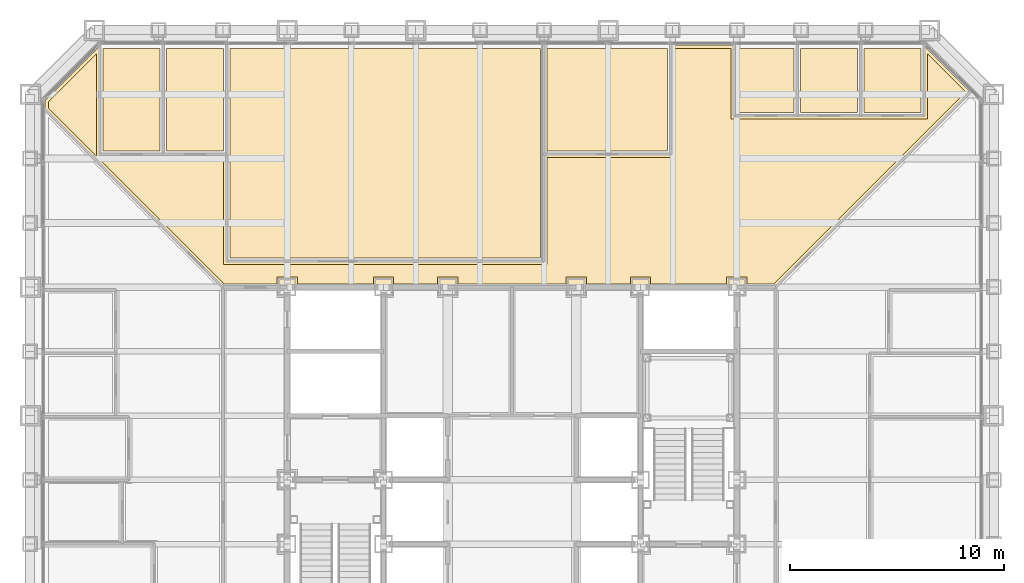
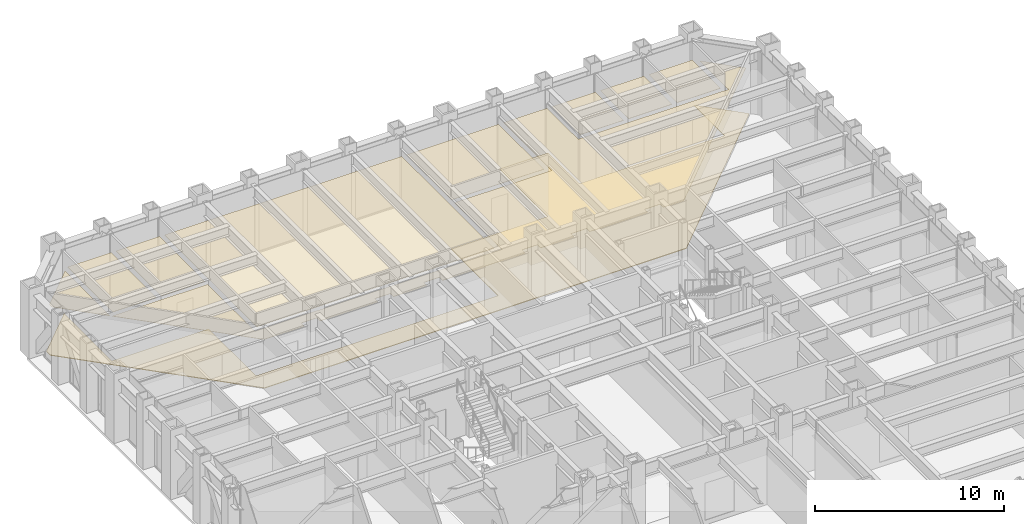
# One storey, part 17 of 17: 10 coverings.
"""IFC4 building model written with IfcOpenShell, lengths in metres."""

from ifc_helpers import new_model, si_unit, direction, frame, origin, place, context, subcontext, project, spatial, polyline, outline, extrude, material, layer, layer_set, type_object, element, save


model = new_model("IFC4")

# Units and contexts
model_context = context("Model", 3, precision=1e-05, world=origin(), true_north=direction((0.0, 1.0)))
body_context = subcontext(model_context, "Body", "Model", "MODEL_VIEW")
ifc_project = project(units=[si_unit("LENGTHUNIT", "METRE"), si_unit("AREAUNIT", "SQUARE_METRE"), si_unit("VOLUMEUNIT", "CUBIC_METRE"), si_unit("PLANEANGLEUNIT", "RADIAN"), si_unit("MASSUNIT", "GRAM", prefix="KILO")], contexts=[model_context])

# Site, building, storey
site_placement = place(None, origin())
site = spatial("IfcSite", under=ifc_project, at=site_placement, CompositionType="ELEMENT")
building_placement = place(site_placement, origin())
building = spatial("IfcBuilding", under=site, at=building_placement, Name="Chuquiago Exchange Tower", CompositionType="ELEMENT")
storey_placement = place(building_placement, frame((0.0, 0.0, 64.800048828125)))
storey = spatial("IfcBuildingStorey", under=building, at=storey_placement, Name="L13", CompositionType="ELEMENT", Elevation=64.800048828125)

# Coverings
ifc_material_1 = material(Name="Mineral fibre tile, 600 x 600, on pale metal grid", Category="mineral fibre")
ifc_layer_1 = layer(ifc_material_1, 0.02001953125)
ifc_layer_set_1 = layer_set([ifc_layer_1], Name="CL1 suspended tile ceiling 20")
covering_type_1 = type_object("IfcCoveringType", Name="CL1 suspended tile ceiling 20", PredefinedType="CEILING", material=ifc_layer_set_1)
covering_1_placement = place(storey_placement, frame((0.0, 0.0, 3.0)))
element("IfcCovering", 1, at=covering_1_placement, inside=storey, type_object=covering_type_1, Name="Ceiling Office", PredefinedType="CEILING", context=body_context, shape_type="SweptSolid", body=[
    extrude(outline(polyline([(6.060302734375, 44.14990234375), (6.060302734375, 39.35009765625), (3.3984375, 39.35009765625), (3.3984375, 44.14990234375), (6.060302734375, 44.14990234375)])), origin(), (0.0, 0.0, 1.0), 0.02001953125),
])
covering_2_placement = place(storey_placement, frame((0.0, 0.0, 3.0)))
element("IfcCovering", 2, at=covering_2_placement, inside=storey, type_object=covering_type_1, Name="Ceiling Office", PredefinedType="CEILING", context=body_context, shape_type="SweptSolid", body=[
    extrude(outline(polyline([(9.022216796875, 39.35009765625), (6.3603515625, 39.35009765625), (6.3603515625, 44.14990234375), (9.022216796875, 44.14990234375), (9.022216796875, 39.35009765625)])), origin(), (0.0, 0.0, 1.0), 0.02001953125),
])
covering_3_placement = place(storey_placement, frame((0.0, 0.0, 3.0)))
element("IfcCovering", 3, at=covering_3_placement, inside=storey, type_object=covering_type_1, Name="Ceiling Trading room", PredefinedType="CEILING", context=body_context, shape_type="SweptSolid", body=[
    extrude(outline(polyline([(23.830810546875, 34.35009765625), (9.322021484375, 34.35009765625), (9.322021484375, 44.14990234375), (23.830810546875, 44.14990234375), (23.830810546875, 34.35009765625)])), origin(), (0.0, 0.0, 1.0), 0.02001953125),
])
covering_4_placement = place(storey_placement, frame((0.0, 0.0, 3.0)))
element("IfcCovering", 4, at=covering_4_placement, inside=storey, type_object=covering_type_1, Name="Ceiling Meeting room", PredefinedType="CEILING", context=body_context, shape_type="SweptSolid", body=[
    extrude(outline(polyline([(29.75439453125, 39.35009765625), (24.130859375, 39.35009765625), (24.130859375, 44.14990234375), (29.75439453125, 44.14990234375), (29.75439453125, 39.35009765625)])), origin(), (0.0, 0.0, 1.0), 0.02001953125),
])
covering_5_placement = place(storey_placement, frame((0.0, 0.0, 3.0)))
element("IfcCovering", 5, at=covering_5_placement, inside=storey, type_object=covering_type_1, Name="Ceiling Focus room", PredefinedType="CEILING", context=body_context, shape_type="SweptSolid", body=[
    extrude(outline(polyline([(35.677978515625, 41.14990234375), (33.01611328125, 41.14990234375), (33.01611328125, 44.14990234375), (35.677978515625, 44.14990234375), (35.677978515625, 41.14990234375)])), origin(), (0.0, 0.0, 1.0), 0.02001953125),
])
covering_6_placement = place(storey_placement, frame((0.0, 0.0, 3.0)))
element("IfcCovering", 6, at=covering_6_placement, inside=storey, type_object=covering_type_1, Name="Ceiling Focus room", PredefinedType="CEILING", context=body_context, shape_type="SweptSolid", body=[
    extrude(outline(polyline([(38.6396484375, 41.14990234375), (35.977783203125, 41.14990234375), (35.977783203125, 44.14990234375), (38.6396484375, 44.14990234375), (38.6396484375, 41.14990234375)])), origin(), (0.0, 0.0, 1.0), 0.02001953125),
])
covering_7_placement = place(storey_placement, frame((0.0, 0.0, 3.0)))
element("IfcCovering", 7, at=covering_7_placement, inside=storey, type_object=covering_type_1, Name="Ceiling Focus room", PredefinedType="CEILING", context=body_context, shape_type="SweptSolid", body=[
    extrude(outline(polyline([(41.6015625, 41.14990234375), (38.939697265625, 41.14990234375), (38.939697265625, 44.14990234375), (41.6015625, 44.14990234375), (41.6015625, 41.14990234375)])), origin(), (0.0, 0.0, 1.0), 0.02001953125),
])
covering_8_placement = place(storey_placement, frame((0.0, 0.0, 3.0)))
element("IfcCovering", 8, at=covering_8_placement, inside=storey, type_object=covering_type_1, Name="Ceiling Trading floor north", PredefinedType="CEILING", context=body_context, shape_type="SweptSolid", body=[
    extrude(outline(polyline([(9.022216796875, 39.050048828125), (9.022216796875, 34.050048828125), (24.130859375, 34.050048828125), (24.130859375, 39.050048828125), (30.054443359375, 39.050048828125), (30.054443359375, 44.14990234375), (32.71630859375, 44.14990234375), (32.71630859375, 40.85009765625), (41.901611328125, 40.85009765625), (41.901611328125, 43.896484375), (43.692626953125, 42.10546875), (34.7373046875, 33.14990234375), (33.47509765625, 33.14990234375), (33.47509765625, 33.47509765625), (32.52490234375, 33.47509765625), (32.52490234375, 33.14990234375), (28.97509765625, 33.14990234375), (28.97509765625, 33.47509765625), (28.02490234375, 33.47509765625), (28.02490234375, 33.14990234375), (25.97509765625, 33.14990234375), (25.97509765625, 33.47509765625), (25.02490234375, 33.47509765625), (25.02490234375, 33.14990234375), (19.97509765625, 33.14990234375), (19.97509765625, 33.47509765625), (19.02490234375, 33.47509765625), (19.02490234375, 33.14990234375), (16.97509765625, 33.14990234375), (16.97509765625, 33.47509765625), (16.02490234375, 33.47509765625), (16.02490234375, 33.14990234375), (12.47509765625, 33.14990234375), (12.47509765625, 33.47509765625), (11.52490234375, 33.47509765625), (11.52490234375, 33.14990234375), (9.0625, 33.14990234375), (3.162841796875, 39.050048828125), (9.022216796875, 39.050048828125)])), origin(), (0.0, 0.0, 1.0), 0.02001953125),
])
covering_9_placement = place(storey_placement, frame((0.0, 0.0, 3.0)))
element("IfcCovering", 9, at=covering_9_placement, inside=storey, type_object=covering_type_1, Name="Ceiling Trading floor north", PredefinedType="CEILING", context=body_context, shape_type="SweptSolid", body=[
    extrude(outline(polyline([(3.098388671875, 43.896484375), (3.098388671875, 39.1142578125), (0.85009765625, 41.36279296875), (0.85009765625, 41.64794921875), (3.098388671875, 43.896484375)])), origin(), (0.0, 0.0, 1.0), 0.02001953125),
])
ifc_material_2 = material(Name="Steel raised floor panel", Category="steel")
ifc_layer_2 = layer(ifc_material_2, 0.0400390625)
ifc_layer_set_2 = layer_set([ifc_layer_2], Name="RF1 raised access floor 40")
covering_type_2 = type_object("IfcCoveringType", Name="RF1 raised access floor 40", PredefinedType="FLOORING", material=ifc_layer_set_2)
covering_10_placement = place(storey_placement, frame((0.0, 0.0, -0.0400390625)))
element("IfcCovering", 10, at=covering_10_placement, inside=storey, type_object=covering_type_2, Name="Raised access floor Trading floor north", PredefinedType="FLOORING", context=body_context, shape_type="SweptSolid", body=[
    extrude(outline(polyline([(0.699951171875, 41.710205078125), (3.289794921875, 44.300048828125), (3.24853515625, 44.258544921875), (3.24853515625, 39.199951171875), (9.172119140625, 39.199951171875), (9.172119140625, 34.199951171875), (23.98095703125, 34.199951171875), (23.98095703125, 39.199951171875), (29.904296875, 39.199951171875), (29.904296875, 44.300048828125), (32.8662109375, 44.300048828125), (32.8662109375, 41.0), (41.75146484375, 41.0), (41.75146484375, 44.258544921875), (43.90478515625, 42.10546875), (34.799560546875, 33.0), (9.00048828125, 33.0), (0.699951171875, 41.30078125), (0.699951171875, 41.710205078125)])), origin(), (0.0, 0.0, 1.0), 0.0400390625),
])

save(model, "model.ifc")
